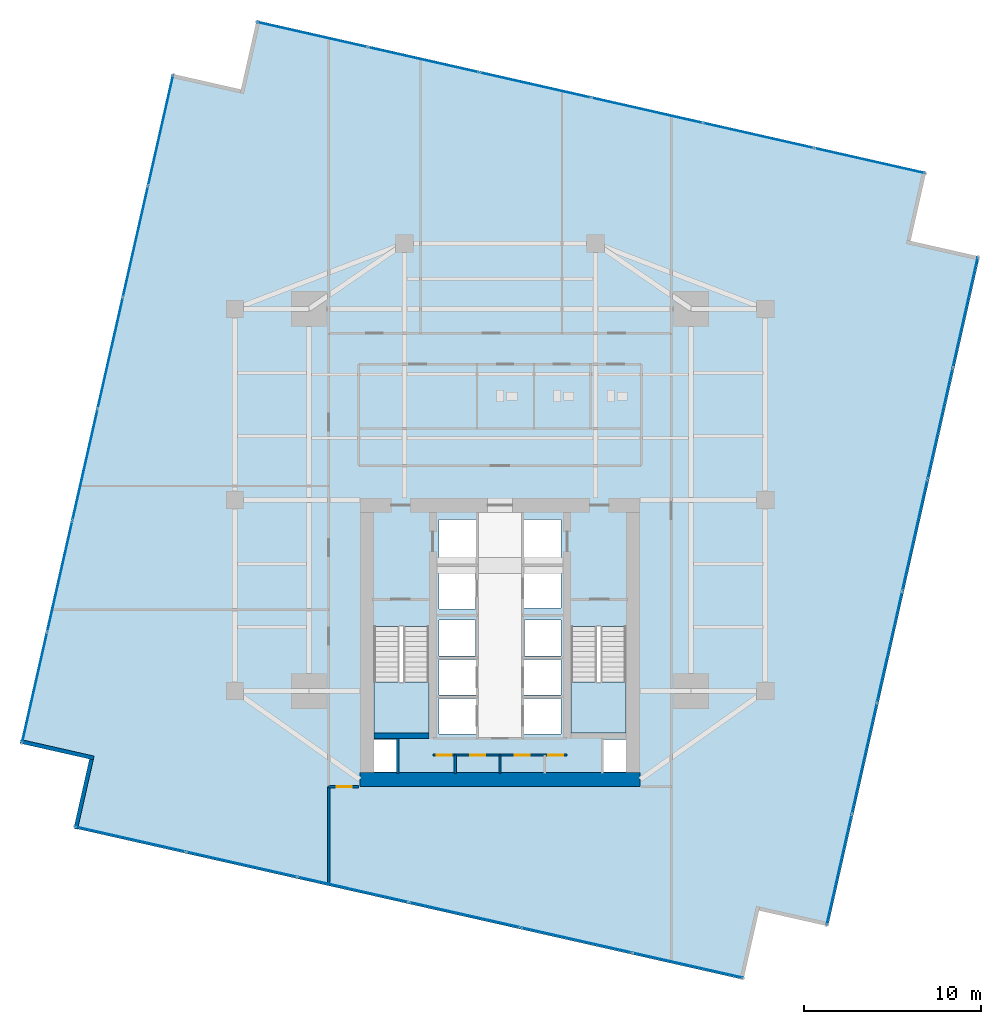
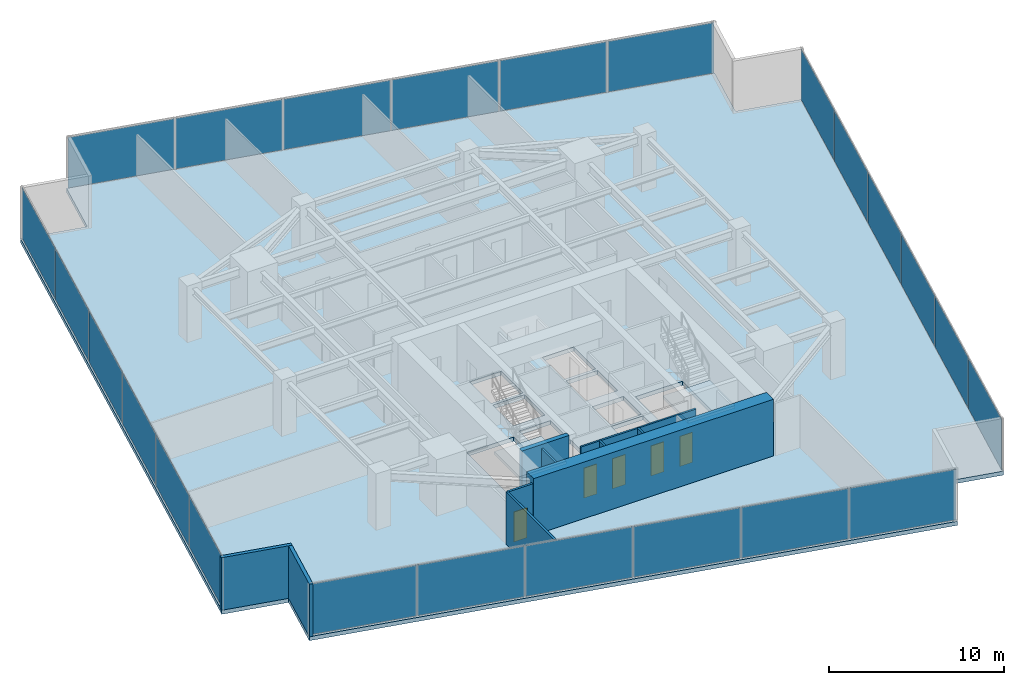
# One storey, part 22 of 26: 24 plates, 10 walls, 5 doors, 3 slabs, 5 openings, 6 elements without a shape of their own.
"""IFC4 building model written with IfcOpenShell, lengths in metres."""

from ifc_helpers import new_model, si_unit, direction, frame, frame_2d, origin, origin_2d, place, context, subcontext, project, spatial, polyline, rectangle, outline, extrude, source, transform, mapped, material, layer, layer_set, type_object, type_shapes, element, fill, aggregate, save


model = new_model("IFC4")

# Units and contexts
model_context = context("Model", 3, precision=1e-05, world=origin(), true_north=direction((0.0, 1.0)))
body_context = subcontext(model_context, "Body", "Model", "MODEL_VIEW")
ifc_project = project(units=[si_unit("LENGTHUNIT", "METRE"), si_unit("AREAUNIT", "SQUARE_METRE"), si_unit("VOLUMEUNIT", "CUBIC_METRE"), si_unit("PLANEANGLEUNIT", "RADIAN"), si_unit("MASSUNIT", "GRAM", prefix="KILO")], contexts=[model_context])

# Site, building, storey
site_placement = place(None, origin())
site = spatial("IfcSite", under=ifc_project, at=site_placement, CompositionType="ELEMENT")
building_placement = place(site_placement, origin())
building = spatial("IfcBuilding", under=site, at=building_placement, Name="Krantzveldt Concourse Tower", CompositionType="ELEMENT")
storey_placement = place(building_placement, frame((0.0, 0.0, 94.0)))
storey = spatial("IfcBuildingStorey", under=building, at=storey_placement, Name="L22", CompositionType="ELEMENT", Elevation=94.0)

# Stair, slab
ifc_material_1 = material(Name="Precast concrete C40/50", Category="concrete")
stair_type = type_object("IfcStairType", Name="STR-CORE-DOGLEG", PredefinedType="HALF_TURN_STAIR", material=ifc_material_1)
stair_1_placement = place(storey_placement, origin())
stair_1 = element("IfcStair", 1, at=stair_1_placement, inside=storey, type_object=stair_type, Name="L22 Protected Escape Stair ST-1", PredefinedType="HALF_TURN_STAIR")
ifc_layer_1 = layer(ifc_material_1, 0.199951171875, Name="Precast concrete C40/50", Category="concrete")
ifc_layer_set_1 = layer_set([ifc_layer_1], Name="Precast concrete C40/50 (SL-LANDING-200)")
slab_type_1 = type_object("IfcSlabType", Name="SL-LANDING-200", PredefinedType="LANDING", material=ifc_layer_set_1)
slab_1_placement = place(storey_placement, frame((0.0, 0.0, 1.77490234375)))
slab_1 = element("IfcSlab", 2, at=slab_1_placement, type_object=slab_type_1, Name="ST-1 landing 1", PredefinedType="LANDING", context=body_context, shape_type="SweptSolid", body=[
    extrude(outline(polyline([(28.8798828125, 16.4150390625), (28.8798828125, 13.52001953125), (31.97998046875, 13.52001953125), (31.97998046875, 16.4150390625), (28.8798828125, 16.4150390625)])), origin(), (0.0, 0.0, 1.0), 0.2001953125),
])
aggregate(stair_1, [slab_1])

stair_2_placement = place(storey_placement, origin())
stair_2 = element("IfcStair", 3, at=stair_2_placement, inside=storey, type_object=stair_type, Name="L22 Protected Escape Stair ST-2", PredefinedType="HALF_TURN_STAIR")
slab_2_placement = place(storey_placement, frame((0.0, 0.0, 1.77490234375)))
slab_2 = element("IfcSlab", 4, at=slab_2_placement, type_object=slab_type_1, Name="ST-2 landing 1", PredefinedType="LANDING", context=body_context, shape_type="SweptSolid", body=[
    extrude(outline(polyline([(40.02001953125, 16.4150390625), (40.02001953125, 13.52001953125), (43.1201171875, 13.52001953125), (43.1201171875, 16.4150390625), (40.02001953125, 16.4150390625)])), origin(), (0.0, 0.0, 1.0), 0.2001953125),
])
aggregate(stair_2, [slab_2])

# Slab
ifc_material_2 = material(Name="Concrete C40/50", Category="concrete")
ifc_layer_2 = layer(ifc_material_2, 0.280029296875, Name="Concrete C40/50", Category="concrete")
ifc_layer_set_2 = layer_set([ifc_layer_2], Name="Concrete C40/50 (SL-SL-TWR280)")
slab_type_2 = type_object("IfcSlabType", Name="SL-SL-TWR280", PredefinedType="FLOOR", material=ifc_layer_set_2)
slab_3_placement = place(storey_placement, frame((0.0, 0.0, -0.280029296875)))
element("IfcSlab", 5, at=slab_3_placement, inside=storey, type_object=slab_type_2, Name="SL-L22-MAIN", PredefinedType="FLOOR", context=body_context, shape_type="SweptSolid", body=[
    extrude(outline(polyline([(21.35986328125, 49.903076171875), (17.45849609375, 50.785888671875), (8.8955078125, 12.942626953125), (12.796875, 12.059814453125), (11.9140625, 8.158447265625), (49.75732421875, -0.404541015625), (50.64013671875, 3.496826171875), (54.54150390625, 2.614013671875), (63.1044921875, 40.457275390625), (59.203125, 41.340087890625), (60.0859375, 45.241455078125), (22.24267578125, 53.804443359375), (21.35986328125, 49.903076171875)]), holes=[polyline([(28.8798828125, 19.547607421875), (28.8798828125, 13.52001953125), (31.97998046875, 13.52001953125), (31.97998046875, 19.547607421875), (28.8798828125, 19.547607421875)]), polyline([(40.02001953125, 19.547607421875), (40.02001953125, 13.52001953125), (43.1201171875, 13.52001953125), (43.1201171875, 19.547607421875), (40.02001953125, 19.547607421875)]), polyline([(32.550048828125, 23.10009765625), (34.64990234375, 23.10009765625), (34.64990234375, 25.60009765625), (32.550048828125, 25.60009765625), (32.550048828125, 23.10009765625)]), polyline([(37.35009765625, 23.10009765625), (39.449951171875, 23.10009765625), (39.449951171875, 25.60009765625), (37.35009765625, 25.60009765625), (37.35009765625, 23.10009765625)]), polyline([(37.35009765625, 20.60009765625), (39.449951171875, 20.60009765625), (39.449951171875, 22.89990234375), (37.35009765625, 22.89990234375), (37.35009765625, 20.60009765625)]), polyline([(32.550048828125, 13.47998046875), (34.64990234375, 13.47998046875), (34.64990234375, 15.47998046875), (32.550048828125, 15.47998046875), (32.550048828125, 13.47998046875)]), polyline([(32.550048828125, 15.679931640625), (34.64990234375, 15.679931640625), (34.64990234375, 17.679931640625), (32.550048828125, 17.679931640625), (32.550048828125, 15.679931640625)]), polyline([(37.35009765625, 13.47998046875), (39.449951171875, 13.47998046875), (39.449951171875, 15.47998046875), (37.35009765625, 15.47998046875), (37.35009765625, 13.47998046875)]), polyline([(37.35009765625, 15.679931640625), (39.449951171875, 15.679931640625), (39.449951171875, 17.679931640625), (37.35009765625, 17.679931640625), (37.35009765625, 15.679931640625)]), polyline([(32.550048828125, 20.550048828125), (34.6201171875, 20.550048828125), (34.6201171875, 22.89990234375), (32.550048828125, 22.89990234375), (32.550048828125, 20.550048828125)]), polyline([(32.550048828125, 17.8798828125), (34.6201171875, 17.8798828125), (34.6201171875, 19.919921875), (32.550048828125, 19.919921875), (32.550048828125, 17.8798828125)]), polyline([(37.3798828125, 17.8798828125), (39.449951171875, 17.8798828125), (39.449951171875, 19.919921875), (37.3798828125, 19.919921875), (37.3798828125, 17.8798828125)]), polyline([(28.8798828125, 11.320068359375), (30.139892578125, 11.320068359375), (30.139892578125, 13.159912109375), (28.8798828125, 13.159912109375), (28.8798828125, 11.320068359375)]), polyline([(41.860107421875, 11.320068359375), (43.1201171875, 11.320068359375), (43.1201171875, 13.159912109375), (41.860107421875, 13.159912109375), (41.860107421875, 11.320068359375)])]), origin(), (0.0, 0.0, 1.0), 0.280029296875),
])

# Curtain wall, plates
ifc_material_3 = material(Name="Anodised aluminium 6063-T6", Category="aluminium")
curtain_wall_type = type_object("IfcCurtainWallType", Name="CW2", PredefinedType="USERDEFINED", material=ifc_material_3)
curtain_wall_1_placement = place(storey_placement, origin())
curtain_wall_1 = element("IfcCurtainWall", 6, at=curtain_wall_1_placement, inside=storey, type_object=curtain_wall_type, Name="CW-L22-F01", ObjectType="UNITISED CURTAIN WALL", PredefinedType="USERDEFINED")
ifc_material_4 = material(Name="Bronze-tinted laminated low-E IGU glass", Category="glass")
ifc_layer_3 = layer(ifc_material_4, 0.031982421875, Name="Bronze-tinted laminated low-E IGU glass", Category="glass")
ifc_layer_set_3 = layer_set([ifc_layer_3], Name="Bronze-tinted laminated low-E IGU glass (CW-GLZ-32)")
plate_type = type_object("IfcPlateType", Name="CW-GLZ-32", PredefinedType="CURTAIN_PANEL", material=ifc_layer_set_3)
shared_shape_1 = source(origin(), body_context, "Body", "SweptSolid", [
    extrude(rectangle(XDim=6.361572265625, YDim=0.031982421875, at=origin_2d()), origin(), (0.0, 0.0, 1.0), 3.530029296875),
])
plate_1_placement = place(storey_placement, frame((16.828857421875, 47.595458984375, 0.06982421875), z_axis=(0.0, 0.0, 1.0), x_axis=(-0.220697434579, -0.975342320609, 0.0)))
plate_1 = element("IfcPlate", 7, at=plate_1_placement, type_object=plate_type, Name="CW-Z12 panel 1.1", PredefinedType="CURTAIN_PANEL", context=body_context, shape_type="MappedRepresentation", body=[
    mapped(shared_shape_1, transform((0.0, 0.0, 0.0), x_axis=(1.0, 0.0, 0.0), y_axis=(0.0, 1.0, 0.0), z_axis=(0.0, 0.0, 1.0), scale=1.0)),
])
plate_2_placement = place(storey_placement, frame((9.70068359375, 16.093505859375, 0.06982421875), z_axis=(0.0, 0.0, 1.0), x_axis=(-0.220697434579, -0.975342320609, 0.0)))
plate_2 = element("IfcPlate", 8, at=plate_2_placement, type_object=plate_type, Name="CW-Z12 panel 6.1", PredefinedType="CURTAIN_PANEL", context=body_context, shape_type="MappedRepresentation", body=[
    mapped(shared_shape_1, transform((0.0, 0.0, 0.0), x_axis=(1.0, 0.0, 0.0), y_axis=(0.0, 1.0, 0.0), z_axis=(0.0, 0.0, 1.0), scale=1.0)),
])

curtain_wall_2_placement = place(storey_placement, origin())
curtain_wall_2 = element("IfcCurtainWall", 9, at=curtain_wall_2_placement, inside=storey, type_object=curtain_wall_type, Name="CW-L22-F04", ObjectType="UNITISED CURTAIN WALL", PredefinedType="USERDEFINED")
plate_3_placement = place(storey_placement, frame((15.1044921875, 7.52880859375, 0.06982421875), z_axis=(0.0, 0.0, 1.0), x_axis=(0.975342320609, -0.220697434579, 0.0)))
plate_3 = element("IfcPlate", 10, at=plate_3_placement, type_object=plate_type, Name="CW-Z12 panel 1.1", PredefinedType="CURTAIN_PANEL", context=body_context, shape_type="MappedRepresentation", body=[
    mapped(shared_shape_1, transform((0.0, 0.0, 0.0), x_axis=(1.0, 0.0, 0.0), y_axis=(0.0, 1.0, 0.0), z_axis=(0.0, 0.0, 1.0), scale=1.0)),
])
plate_4_placement = place(storey_placement, frame((46.6064453125, 0.400634765625, 0.06982421875), z_axis=(0.0, 0.0, 1.0), x_axis=(0.975342320609, -0.220697434579, 0.0)))
plate_4 = element("IfcPlate", 11, at=plate_4_placement, type_object=plate_type, Name="CW-Z12 panel 6.1", PredefinedType="CURTAIN_PANEL", context=body_context, shape_type="MappedRepresentation", body=[
    mapped(shared_shape_1, transform((0.0, 0.0, 0.0), x_axis=(1.0, 0.0, 0.0), y_axis=(0.0, 1.0, 0.0), z_axis=(0.0, 0.0, 1.0), scale=1.0)),
])

curtain_wall_3_placement = place(storey_placement, origin())
curtain_wall_3 = element("IfcCurtainWall", 12, at=curtain_wall_3_placement, inside=storey, type_object=curtain_wall_type, Name="CW-L22-F07", ObjectType="UNITISED CURTAIN WALL", PredefinedType="USERDEFINED")
plate_5_placement = place(storey_placement, frame((55.171142578125, 5.8046875, 0.06982421875), z_axis=(0.0, 0.0, 1.0), x_axis=(0.220697434579, 0.975342320609, 0.0)))
plate_5 = element("IfcPlate", 13, at=plate_5_placement, type_object=plate_type, Name="CW-Z12 panel 1.1", PredefinedType="CURTAIN_PANEL", context=body_context, shape_type="MappedRepresentation", body=[
    mapped(shared_shape_1, transform((0.0, 0.0, 0.0), x_axis=(1.0, 0.0, 0.0), y_axis=(0.0, 1.0, 0.0), z_axis=(0.0, 0.0, 1.0), scale=1.0)),
])
plate_6_placement = place(storey_placement, frame((62.29931640625, 37.306396484375, 0.06982421875), z_axis=(0.0, 0.0, 1.0), x_axis=(0.220697434579, 0.975342320609, 0.0)))
plate_6 = element("IfcPlate", 14, at=plate_6_placement, type_object=plate_type, Name="CW-Z12 panel 6.1", PredefinedType="CURTAIN_PANEL", context=body_context, shape_type="MappedRepresentation", body=[
    mapped(shared_shape_1, transform((0.0, 0.0, 0.0), x_axis=(1.0, 0.0, 0.0), y_axis=(0.0, 1.0, 0.0), z_axis=(0.0, 0.0, 1.0), scale=1.0)),
])

curtain_wall_4_placement = place(storey_placement, origin())
curtain_wall_4 = element("IfcCurtainWall", 15, at=curtain_wall_4_placement, inside=storey, type_object=curtain_wall_type, Name="CW-L22-F10", ObjectType="UNITISED CURTAIN WALL", PredefinedType="USERDEFINED")
plate_7_placement = place(storey_placement, frame((56.8955078125, 45.87109375, 0.06982421875), z_axis=(0.0, 0.0, 1.0), x_axis=(-0.975342320609, 0.220697434579, 0.0)))
plate_7 = element("IfcPlate", 16, at=plate_7_placement, type_object=plate_type, Name="CW-Z12 panel 1.1", PredefinedType="CURTAIN_PANEL", context=body_context, shape_type="MappedRepresentation", body=[
    mapped(shared_shape_1, transform((0.0, 0.0, 0.0), x_axis=(1.0, 0.0, 0.0), y_axis=(0.0, 1.0, 0.0), z_axis=(0.0, 0.0, 1.0), scale=1.0)),
])
plate_8_placement = place(storey_placement, frame((25.3935546875, 52.999267578125, 0.06982421875), z_axis=(0.0, 0.0, 1.0), x_axis=(-0.975342320609, 0.220697434579, 0.0)))
plate_8 = element("IfcPlate", 17, at=plate_8_placement, type_object=plate_type, Name="CW-Z12 panel 6.1", PredefinedType="CURTAIN_PANEL", context=body_context, shape_type="MappedRepresentation", body=[
    mapped(shared_shape_1, transform((0.0, 0.0, 0.0), x_axis=(1.0, 0.0, 0.0), y_axis=(0.0, 1.0, 0.0), z_axis=(0.0, 0.0, 1.0), scale=1.0)),
])

# Plate
shared_shape_2 = source(origin(), body_context, "Body", "SweptSolid", [
    extrude(rectangle(XDim=6.396728515625, YDim=0.031982421875, at=origin_2d()), origin(), (0.0, 0.0, 1.0), 3.530029296875),
])
type_shapes(plate_type, [shared_shape_1, shared_shape_2])
plate_9_placement = place(storey_placement, frame((15.405517578125, 41.30517578125, 0.06982421875), z_axis=(0.0, 0.0, 1.0), x_axis=(-0.220697434579, -0.975342320609, 0.0)))
plate_9 = element("IfcPlate", 18, at=plate_9_placement, type_object=plate_type, Name="CW-Z12 panel 2.1", PredefinedType="CURTAIN_PANEL", context=body_context, shape_type="MappedRepresentation", body=[
    mapped(shared_shape_2, transform((0.0, 0.0, 0.0), x_axis=(1.0, 0.0, 0.0), y_axis=(0.0, 1.0, 0.0), z_axis=(0.0, 0.0, 1.0), scale=1.0)),
])

plate_10_placement = place(storey_placement, frame((13.978271484375, 34.998046875, 0.06982421875), z_axis=(0.0, 0.0, 1.0), x_axis=(-0.220697434579, -0.975342320609, 0.0)))
plate_10 = element("IfcPlate", 19, at=plate_10_placement, type_object=plate_type, Name="CW-Z12 panel 3.1", PredefinedType="CURTAIN_PANEL", context=body_context, shape_type="MappedRepresentation", body=[
    mapped(shared_shape_2, transform((0.0, 0.0, 0.0), x_axis=(1.0, 0.0, 0.0), y_axis=(0.0, 1.0, 0.0), z_axis=(0.0, 0.0, 1.0), scale=1.0)),
])

plate_11_placement = place(storey_placement, frame((12.55126953125, 28.69091796875, 0.06982421875), z_axis=(0.0, 0.0, 1.0), x_axis=(-0.220697434579, -0.975342320609, 0.0)))
plate_11 = element("IfcPlate", 20, at=plate_11_placement, type_object=plate_type, Name="CW-Z12 panel 4.1", PredefinedType="CURTAIN_PANEL", context=body_context, shape_type="MappedRepresentation", body=[
    mapped(shared_shape_2, transform((0.0, 0.0, 0.0), x_axis=(1.0, 0.0, 0.0), y_axis=(0.0, 1.0, 0.0), z_axis=(0.0, 0.0, 1.0), scale=1.0)),
])

plate_12_placement = place(storey_placement, frame((11.1240234375, 22.383544921875, 0.06982421875), z_axis=(0.0, 0.0, 1.0), x_axis=(-0.220697434579, -0.975342320609, 0.0)))
plate_12 = element("IfcPlate", 21, at=plate_12_placement, type_object=plate_type, Name="CW-Z12 panel 5.1", PredefinedType="CURTAIN_PANEL", context=body_context, shape_type="MappedRepresentation", body=[
    mapped(shared_shape_2, transform((0.0, 0.0, 0.0), x_axis=(1.0, 0.0, 0.0), y_axis=(0.0, 1.0, 0.0), z_axis=(0.0, 0.0, 1.0), scale=1.0)),
])

aggregate(curtain_wall_1, [plate_1, plate_9, plate_10, plate_11, plate_12, plate_2])

plate_13_placement = place(storey_placement, frame((21.394775390625, 6.10546875, 0.06982421875), z_axis=(0.0, 0.0, 1.0), x_axis=(0.975342320609, -0.220697434579, 0.0)))
plate_13 = element("IfcPlate", 22, at=plate_13_placement, type_object=plate_type, Name="CW-Z12 panel 2.1", PredefinedType="CURTAIN_PANEL", context=body_context, shape_type="MappedRepresentation", body=[
    mapped(shared_shape_2, transform((0.0, 0.0, 0.0), x_axis=(1.0, 0.0, 0.0), y_axis=(0.0, 1.0, 0.0), z_axis=(0.0, 0.0, 1.0), scale=1.0)),
])

plate_14_placement = place(storey_placement, frame((27.701904296875, 4.678466796875, 0.06982421875), z_axis=(0.0, 0.0, 1.0), x_axis=(0.975342320609, -0.220697434579, 0.0)))
plate_14 = element("IfcPlate", 23, at=plate_14_placement, type_object=plate_type, Name="CW-Z12 panel 3.1", PredefinedType="CURTAIN_PANEL", context=body_context, shape_type="MappedRepresentation", body=[
    mapped(shared_shape_2, transform((0.0, 0.0, 0.0), x_axis=(1.0, 0.0, 0.0), y_axis=(0.0, 1.0, 0.0), z_axis=(0.0, 0.0, 1.0), scale=1.0)),
])

plate_15_placement = place(storey_placement, frame((34.009033203125, 3.251220703125, 0.06982421875), z_axis=(0.0, 0.0, 1.0), x_axis=(0.975342320609, -0.220697434579, 0.0)))
plate_15 = element("IfcPlate", 24, at=plate_15_placement, type_object=plate_type, Name="CW-Z12 panel 4.1", PredefinedType="CURTAIN_PANEL", context=body_context, shape_type="MappedRepresentation", body=[
    mapped(shared_shape_2, transform((0.0, 0.0, 0.0), x_axis=(1.0, 0.0, 0.0), y_axis=(0.0, 1.0, 0.0), z_axis=(0.0, 0.0, 1.0), scale=1.0)),
])

plate_16_placement = place(storey_placement, frame((40.31640625, 1.823974609375, 0.06982421875), z_axis=(0.0, 0.0, 1.0), x_axis=(0.975342320609, -0.220697434579, 0.0)))
plate_16 = element("IfcPlate", 25, at=plate_16_placement, type_object=plate_type, Name="CW-Z12 panel 5.1", PredefinedType="CURTAIN_PANEL", context=body_context, shape_type="MappedRepresentation", body=[
    mapped(shared_shape_2, transform((0.0, 0.0, 0.0), x_axis=(1.0, 0.0, 0.0), y_axis=(0.0, 1.0, 0.0), z_axis=(0.0, 0.0, 1.0), scale=1.0)),
])

aggregate(curtain_wall_2, [plate_3, plate_13, plate_14, plate_15, plate_16, plate_4])

plate_17_placement = place(storey_placement, frame((56.594482421875, 12.0947265625, 0.06982421875), z_axis=(0.0, 0.0, 1.0), x_axis=(0.220697434579, 0.975342320609, 0.0)))
plate_17 = element("IfcPlate", 26, at=plate_17_placement, type_object=plate_type, Name="CW-Z12 panel 2.1", PredefinedType="CURTAIN_PANEL", context=body_context, shape_type="MappedRepresentation", body=[
    mapped(shared_shape_2, transform((0.0, 0.0, 0.0), x_axis=(1.0, 0.0, 0.0), y_axis=(0.0, 1.0, 0.0), z_axis=(0.0, 0.0, 1.0), scale=1.0)),
])

plate_18_placement = place(storey_placement, frame((58.021728515625, 18.40185546875, 0.06982421875), z_axis=(0.0, 0.0, 1.0), x_axis=(0.220697434579, 0.975342320609, 0.0)))
plate_18 = element("IfcPlate", 27, at=plate_18_placement, type_object=plate_type, Name="CW-Z12 panel 3.1", PredefinedType="CURTAIN_PANEL", context=body_context, shape_type="MappedRepresentation", body=[
    mapped(shared_shape_2, transform((0.0, 0.0, 0.0), x_axis=(1.0, 0.0, 0.0), y_axis=(0.0, 1.0, 0.0), z_axis=(0.0, 0.0, 1.0), scale=1.0)),
])

plate_19_placement = place(storey_placement, frame((59.44873046875, 24.709228515625, 0.06982421875), z_axis=(0.0, 0.0, 1.0), x_axis=(0.220697434579, 0.975342320609, 0.0)))
plate_19 = element("IfcPlate", 28, at=plate_19_placement, type_object=plate_type, Name="CW-Z12 panel 4.1", PredefinedType="CURTAIN_PANEL", context=body_context, shape_type="MappedRepresentation", body=[
    mapped(shared_shape_2, transform((0.0, 0.0, 0.0), x_axis=(1.0, 0.0, 0.0), y_axis=(0.0, 1.0, 0.0), z_axis=(0.0, 0.0, 1.0), scale=1.0)),
])

plate_20_placement = place(storey_placement, frame((60.8759765625, 31.016357421875, 0.06982421875), z_axis=(0.0, 0.0, 1.0), x_axis=(0.220697434579, 0.975342320609, 0.0)))
plate_20 = element("IfcPlate", 29, at=plate_20_placement, type_object=plate_type, Name="CW-Z12 panel 5.1", PredefinedType="CURTAIN_PANEL", context=body_context, shape_type="MappedRepresentation", body=[
    mapped(shared_shape_2, transform((0.0, 0.0, 0.0), x_axis=(1.0, 0.0, 0.0), y_axis=(0.0, 1.0, 0.0), z_axis=(0.0, 0.0, 1.0), scale=1.0)),
])

aggregate(curtain_wall_3, [plate_5, plate_17, plate_18, plate_19, plate_20, plate_6])

plate_21_placement = place(storey_placement, frame((50.605224609375, 47.29443359375, 0.06982421875), z_axis=(0.0, 0.0, 1.0), x_axis=(-0.975342320609, 0.220697434579, 0.0)))
plate_21 = element("IfcPlate", 30, at=plate_21_placement, type_object=plate_type, Name="CW-Z12 panel 2.1", PredefinedType="CURTAIN_PANEL", context=body_context, shape_type="MappedRepresentation", body=[
    mapped(shared_shape_2, transform((0.0, 0.0, 0.0), x_axis=(1.0, 0.0, 0.0), y_axis=(0.0, 1.0, 0.0), z_axis=(0.0, 0.0, 1.0), scale=1.0)),
])

plate_22_placement = place(storey_placement, frame((44.298095703125, 48.7216796875, 0.06982421875), z_axis=(0.0, 0.0, 1.0), x_axis=(-0.975342320609, 0.220697434579, 0.0)))
plate_22 = element("IfcPlate", 31, at=plate_22_placement, type_object=plate_type, Name="CW-Z12 panel 3.1", PredefinedType="CURTAIN_PANEL", context=body_context, shape_type="MappedRepresentation", body=[
    mapped(shared_shape_2, transform((0.0, 0.0, 0.0), x_axis=(1.0, 0.0, 0.0), y_axis=(0.0, 1.0, 0.0), z_axis=(0.0, 0.0, 1.0), scale=1.0)),
])

plate_23_placement = place(storey_placement, frame((37.990966796875, 50.14892578125, 0.06982421875), z_axis=(0.0, 0.0, 1.0), x_axis=(-0.975342320609, 0.220697434579, 0.0)))
plate_23 = element("IfcPlate", 32, at=plate_23_placement, type_object=plate_type, Name="CW-Z12 panel 4.1", PredefinedType="CURTAIN_PANEL", context=body_context, shape_type="MappedRepresentation", body=[
    mapped(shared_shape_2, transform((0.0, 0.0, 0.0), x_axis=(1.0, 0.0, 0.0), y_axis=(0.0, 1.0, 0.0), z_axis=(0.0, 0.0, 1.0), scale=1.0)),
])

plate_24_placement = place(storey_placement, frame((31.68359375, 51.575927734375, 0.06982421875), z_axis=(0.0, 0.0, 1.0), x_axis=(-0.975342320609, 0.220697434579, 0.0)))
plate_24 = element("IfcPlate", 33, at=plate_24_placement, type_object=plate_type, Name="CW-Z12 panel 5.1", PredefinedType="CURTAIN_PANEL", context=body_context, shape_type="MappedRepresentation", body=[
    mapped(shared_shape_2, transform((0.0, 0.0, 0.0), x_axis=(1.0, 0.0, 0.0), y_axis=(0.0, 1.0, 0.0), z_axis=(0.0, 0.0, 1.0), scale=1.0)),
])

aggregate(curtain_wall_4, [plate_7, plate_21, plate_22, plate_23, plate_24, plate_8])

# Walls
ifc_layer_4 = layer(ifc_material_3, 0.219970703125, Name="Anodised aluminium 6063-T6", Category="aluminium")
ifc_layer_set_4 = layer_set([ifc_layer_4], Name="Anodised aluminium 6063-T6 (WL-EXT-NOTCH220)")
wall_type_1 = type_object("IfcWallType", Name="WL-EXT-NOTCH220", PredefinedType="ELEMENTEDWALL", material=ifc_layer_set_4)
wall_1_placement = place(storey_placement, frame((8.895263671875, 13.055419921875, 0.0), z_axis=(0.0, 0.0, 1.0), x_axis=(0.975347642517, -0.220673913812, 0.0)))
element("IfcWall", 34, at=wall_1_placement, inside=storey, type_object=wall_type_1, Name="EW-L22-NCH02", PredefinedType="ELEMENTEDWALL", context=body_context, shape_type="SweptSolid", body=[
    extrude(rectangle(XDim=4.2451171875, YDim=0.219970703125, at=frame_2d((2.12255859375, 0.0))), origin(), (0.0, 0.0, 1.0), 3.669921875),
])
wall_2_placement = place(storey_placement, frame((12.904052734375, 12.03564453125, 0.0), z_axis=(0.0, 0.0, 1.0), x_axis=(-0.2206667074, -0.975349272951, 0.0)))
element("IfcWall", 35, at=wall_2_placement, inside=storey, type_object=wall_type_1, Name="EW-L22-NCH03", PredefinedType="ELEMENTEDWALL", context=body_context, shape_type="SweptSolid", body=[
    extrude(rectangle(XDim=4.02490234375, YDim=0.219970703125, at=frame_2d((2.012451171875, 0.0))), origin(), (0.0, 0.0, 1.0), 3.669921875),
])

# Wall, openings, doors
ifc_material_5 = material(Name="Fire-rated gypsum plasterboard on steel stud", Category="steel")
ifc_layer_5 = layer(ifc_material_5, 0.1201171875, Name="Fire-rated gypsum plasterboard on steel stud", Category="steel")
ifc_layer_set_5 = layer_set([ifc_layer_5], Name="Fire-rated gypsum plasterboard on steel stud (WL-PART-120)")
wall_type_2 = type_object("IfcWallType", Name="WL-PART-120", PredefinedType="PARTITIONING", material=ifc_layer_set_5)
wall_3_placement = place(storey_placement, frame((32.2099609375, 12.280029296875, 0.0), z_axis=(0.0, 0.0, 1.0), x_axis=(1.0, 0.0, 0.0)))
wall_3 = element("IfcWall", 36, at=wall_3_placement, inside=storey, type_object=wall_type_2, Name="WP-L22-CSD-HM", PredefinedType="PARTITIONING", context=body_context, shape_type="SweptSolid", body=[
    extrude(rectangle(XDim=7.580078125, YDim=0.1201171875, at=frame_2d((3.7900390625, 0.0))), origin(), (0.0, 0.0, 1.0), 3.669921875),
])
opening_1_placement = place(wall_3_placement, frame((0.205078125, 0.0, 0.0)))
opening_1 = element("IfcOpeningElement", 37, at=opening_1_placement, cuts=wall_3, Name="Opening D-IN085", PredefinedType="OPENING", context=body_context, shape_type="SweptSolid", body=[
    extrude(rectangle(XDim=0.85009765625, YDim=2.10009765625, at=frame_2d((0.425048828125, 1.050048828125))), frame((0.0, 0.070068359375, 0.0), z_axis=(0.0, -1.0, 0.0), x_axis=(1.0, 0.0, 0.0)), (0.0, 0.0, 1.0), 0.14013671875),
])
opening_2_placement = place(wall_3_placement, frame((2.094970703125, 0.0, 0.0)))
opening_2 = element("IfcOpeningElement", 38, at=opening_2_placement, cuts=wall_3, Name="Opening D-IN085", PredefinedType="OPENING", context=body_context, shape_type="SweptSolid", body=[
    extrude(rectangle(XDim=0.85009765625, YDim=2.10009765625, at=frame_2d((0.425048828125, 1.050048828125))), frame((0.0, 0.070068359375, 0.0), z_axis=(0.0, -1.0, 0.0), x_axis=(1.0, 0.0, 0.0)), (0.0, 0.0, 1.0), 0.14013671875),
])
opening_3_placement = place(wall_3_placement, frame((4.635009765625, 0.0, 0.0)))
opening_3 = element("IfcOpeningElement", 39, at=opening_3_placement, cuts=wall_3, Name="Opening D-IN085", PredefinedType="OPENING", context=body_context, shape_type="SweptSolid", body=[
    extrude(rectangle(XDim=0.85009765625, YDim=2.10009765625, at=frame_2d((0.425048828125, 1.050048828125))), frame((0.0, 0.070068359375, 0.0), z_axis=(0.0, -1.0, 0.0), x_axis=(1.0, 0.0, 0.0)), (0.0, 0.0, 1.0), 0.14013671875),
])
opening_4_placement = place(wall_3_placement, frame((6.52490234375, 0.0, 0.0)))
opening_4 = element("IfcOpeningElement", 40, at=opening_4_placement, cuts=wall_3, Name="Opening D-IN085", PredefinedType="OPENING", context=body_context, shape_type="SweptSolid", body=[
    extrude(rectangle(XDim=0.85009765625, YDim=2.10009765625, at=frame_2d((0.425048828125, 1.050048828125))), frame((0.0, 0.070068359375, 0.0), z_axis=(0.0, -1.0, 0.0), x_axis=(1.0, 0.0, 0.0)), (0.0, 0.0, 1.0), 0.14013671875),
])
ifc_material_6 = material(Name="Hardwood timber", Category="wood")
door_type = type_object("IfcDoorType", Name="DR-INT-850", OperationType="SINGLE_SWING_LEFT", PredefinedType="DOOR", material=ifc_material_6)
door_1_placement = place(opening_1_placement, origin())
door_1 = element("IfcDoor", 41, at=door_1_placement, inside=storey, type_object=door_type, Name="DR-L22-CSD1", OperationType="SINGLE_SWING_RIGHT", OverallHeight=2.10009765625, OverallWidth=0.85009765625, PredefinedType="DOOR", context=body_context, shape_type="SweptSolid", body=[
    extrude(rectangle(XDim=0.85009765625, YDim=2.10009765625, at=frame_2d((0.425048828125, 1.050048828125))), frame((0.0, 0.02490234375, 0.0), z_axis=(0.0, -1.0, 0.0), x_axis=(1.0, 0.0, 0.0)), (0.0, 0.0, 1.0), 0.050048828125),
])
fill(opening_1, door_1)
door_2_placement = place(opening_2_placement, origin())
door_2 = element("IfcDoor", 42, at=door_2_placement, inside=storey, type_object=door_type, Name="DR-L22-CSD2", OperationType="SINGLE_SWING_RIGHT", OverallHeight=2.10009765625, OverallWidth=0.85009765625, PredefinedType="DOOR", context=body_context, shape_type="SweptSolid", body=[
    extrude(rectangle(XDim=0.85009765625, YDim=2.10009765625, at=frame_2d((0.425048828125, 1.050048828125))), frame((0.0, 0.02490234375, 0.0), z_axis=(0.0, -1.0, 0.0), x_axis=(1.0, 0.0, 0.0)), (0.0, 0.0, 1.0), 0.050048828125),
])
fill(opening_2, door_2)
door_3_placement = place(opening_3_placement, origin())
door_3 = element("IfcDoor", 43, at=door_3_placement, inside=storey, type_object=door_type, Name="DR-L22-CSD3", OperationType="SINGLE_SWING_RIGHT", OverallHeight=2.10009765625, OverallWidth=0.85009765625, PredefinedType="DOOR", context=body_context, shape_type="SweptSolid", body=[
    extrude(rectangle(XDim=0.85009765625, YDim=2.10009765625, at=frame_2d((0.425048828125, 1.050048828125))), frame((0.0, 0.02490234375, 0.0), z_axis=(0.0, -1.0, 0.0), x_axis=(1.0, 0.0, 0.0)), (0.0, 0.0, 1.0), 0.050048828125),
])
fill(opening_3, door_3)
door_4_placement = place(opening_4_placement, origin())
door_4 = element("IfcDoor", 44, at=door_4_placement, inside=storey, type_object=door_type, Name="DR-L22-CSD4", OperationType="SINGLE_SWING_RIGHT", OverallHeight=2.10009765625, OverallWidth=0.85009765625, PredefinedType="DOOR", context=body_context, shape_type="SweptSolid", body=[
    extrude(rectangle(XDim=0.85009765625, YDim=2.10009765625, at=frame_2d((0.425048828125, 1.050048828125))), frame((0.0, 0.02490234375, 0.0), z_axis=(0.0, -1.0, 0.0), x_axis=(1.0, 0.0, 0.0)), (0.0, 0.0, 1.0), 0.050048828125),
])
fill(opening_4, door_4)

# Walls
for number, where, z_axis, x_axis, name in (
    (45, (33.469970703125, 11.25, 0.0), (0.0, 0.0, 1.0), (0.0, 1.0, 0.0), "WP-L22-CSD-V1"),
    (46, (36.0, 11.25, 0.0), (0.0, 0.0, 1.0), (0.0, 1.0, 0.0), "WP-L22-CSD-V2"),
):
    element("IfcWall", number, at=place(storey_placement, frame(where, z_axis=z_axis, x_axis=x_axis)), inside=storey, type_object=wall_type_2, Name=name, PredefinedType="PARTITIONING", context=body_context, shape_type="SweptSolid", body=[
        extrude(rectangle(XDim=1.030029296875, YDim=0.1201171875, at=frame_2d((0.51513671875, 0.0))), origin(), (0.0, 0.0, 1.0), 3.669921875),
    ])

# Wall, opening, door
ifc_layer_6 = layer(ifc_material_5, 0.139892578125, Name="Fire-rated gypsum plasterboard on steel stud", Category="steel")
ifc_layer_set_6 = layer_set([ifc_layer_6], Name="Fire-rated gypsum plasterboard on steel stud (WL-PART-140)")
wall_type_3 = type_object("IfcWallType", Name="WL-PART-140", PredefinedType="PARTITIONING", material=ifc_layer_set_6)
wall_4_placement = place(storey_placement, frame((26.320068359375, 10.5, 0.0), z_axis=(0.0, 0.0, 1.0), x_axis=(1.0, 0.0, 0.0)))
wall_4 = element("IfcWall", 47, at=wall_4_placement, inside=storey, type_object=wall_type_3, Name="WP-L22-CWBOT", PredefinedType="PARTITIONING", context=body_context, shape_type="SweptSolid", body=[
    extrude(rectangle(XDim=1.679931640625, YDim=0.139892578125, at=frame_2d((0.83984375, 0.0))), origin(), (0.0, 0.0, 1.0), 3.669921875),
])
opening_5_placement = place(wall_4_placement, frame((0.445068359375, 0.0, 0.0)))
opening_5 = element("IfcOpeningElement", 48, at=opening_5_placement, cuts=wall_4, Name="Opening D-IN085", PredefinedType="OPENING", context=body_context, shape_type="SweptSolid", body=[
    extrude(rectangle(XDim=0.85009765625, YDim=2.10009765625, at=frame_2d((0.425048828125, 1.050048828125))), frame((0.0, 0.080078125, 0.0), z_axis=(0.0, -1.0, 0.0), x_axis=(1.0, 0.0, 0.0)), (0.0, 0.0, 1.0), 0.159912109375),
])
door_5_placement = place(opening_5_placement, origin())
door_5 = element("IfcDoor", 49, at=door_5_placement, inside=storey, type_object=door_type, Name="DR-L22-SR1", OperationType="SINGLE_SWING_LEFT", OverallHeight=2.10009765625, OverallWidth=0.85009765625, PredefinedType="DOOR", context=body_context, shape_type="SweptSolid", body=[
    extrude(rectangle(XDim=0.85009765625, YDim=2.10009765625, at=frame_2d((0.425048828125, 1.050048828125))), frame((0.0, 0.02490234375, 0.0), z_axis=(0.0, -1.0, 0.0), x_axis=(1.0, 0.0, 0.0)), (0.0, 0.0, 1.0), 0.050048828125),
])
fill(opening_5, door_5)

# Walls
wall_5_placement = place(storey_placement, frame((26.320068359375, 4.9912109375, 0.0), z_axis=(0.0, 0.0, 1.0), x_axis=(0.0, 1.0, 0.0)))
element("IfcWall", 50, at=wall_5_placement, inside=storey, type_object=wall_type_3, Name="WP-L22-SWL", PredefinedType="PARTITIONING", context=body_context, shape_type="SweptSolid", body=[
    extrude(rectangle(XDim=5.5087890625, YDim=0.139892578125, at=frame_2d((2.75439453125, 0.0))), origin(), (0.0, 0.0, 1.0), 3.669921875),
])
ifc_layer_7 = layer(ifc_material_5, 0.139892578125, Name="Fire-rated gypsum plasterboard on steel stud", Category="steel")
ifc_layer_set_7 = layer_set([ifc_layer_7], Name="Fire-rated gypsum plasterboard on steel stud (WL-PART-FR140)")
wall_type_4 = type_object("IfcWallType", Name="WL-PART-FR140", PredefinedType="PARTITIONING", material=ifc_layer_set_7)
wall_6_placement = place(storey_placement, frame((30.219970703125, 11.25, 0.0), z_axis=(0.0, 0.0, 1.0), x_axis=(0.0, 1.0, 0.0)))
element("IfcWall", 51, at=wall_6_placement, inside=storey, type_object=wall_type_4, Name="WP-L22-RSW", PredefinedType="PARTITIONING", context=body_context, shape_type="SweptSolid", body=[
    extrude(rectangle(XDim=1.969970703125, YDim=0.1201171875, at=frame_2d((0.98486328125, 0.0))), origin(), (0.0, 0.0, 1.0), 3.669921875),
])
ifc_material_7 = material(Name="Concrete C50/60", Category="concrete")
ifc_layer_8 = layer(ifc_material_7, 0.300048828125, Name="Concrete C50/60", Category="concrete")
ifc_layer_set_8 = layer_set([ifc_layer_8], Name="Concrete C50/60 (WL-SHEAR-300)")
wall_type_5 = type_object("IfcWallType", Name="WL-SHEAR-300", PredefinedType="SHEAR", material=ifc_layer_set_8)
wall_7_placement = place(storey_placement, frame((28.8798828125, 13.3701171875, 0.0), z_axis=(0.0, 0.0, 1.0), x_axis=(1.0, 0.0, 0.0)))
element("IfcWall", 52, at=wall_7_placement, inside=storey, type_object=wall_type_5, Name="CW-L22-ST1S", PredefinedType="SHEAR", context=body_context, shape_type="SweptSolid", body=[
    extrude(rectangle(XDim=3.10009765625, YDim=0.300048828125, at=frame_2d((1.550048828125, 0.0))), origin(), (0.0, 0.0, 1.0), 3.949951171875),
])
ifc_material_8 = material(Name="Concrete C60/75", Category="concrete")
ifc_layer_9 = layer(ifc_material_8, 0.800048828125, Name="Concrete C60/75", Category="concrete")
ifc_layer_set_9 = layer_set([ifc_layer_9], Name="Concrete C60/75 (WL-SHEAR-800)")
wall_type_6 = type_object("IfcWallType", Name="WL-SHEAR-800", PredefinedType="SHEAR", material=ifc_layer_set_9)
wall_8_placement = place(storey_placement, frame((28.080078125, 10.89990234375, 0.0), z_axis=(0.0, 0.0, 1.0), x_axis=(1.0, 0.0, 0.0)))
element("IfcWall", 53, at=wall_8_placement, inside=storey, type_object=wall_type_6, Name="CW-L22-S", PredefinedType="SHEAR", context=body_context, shape_type="SweptSolid", body=[
    extrude(rectangle(XDim=15.83984375, YDim=0.800048828125, at=frame_2d((7.919921875, 0.0))), origin(), (0.0, 0.0, 1.0), 3.949951171875),
])

save(model, "model.ifc")
